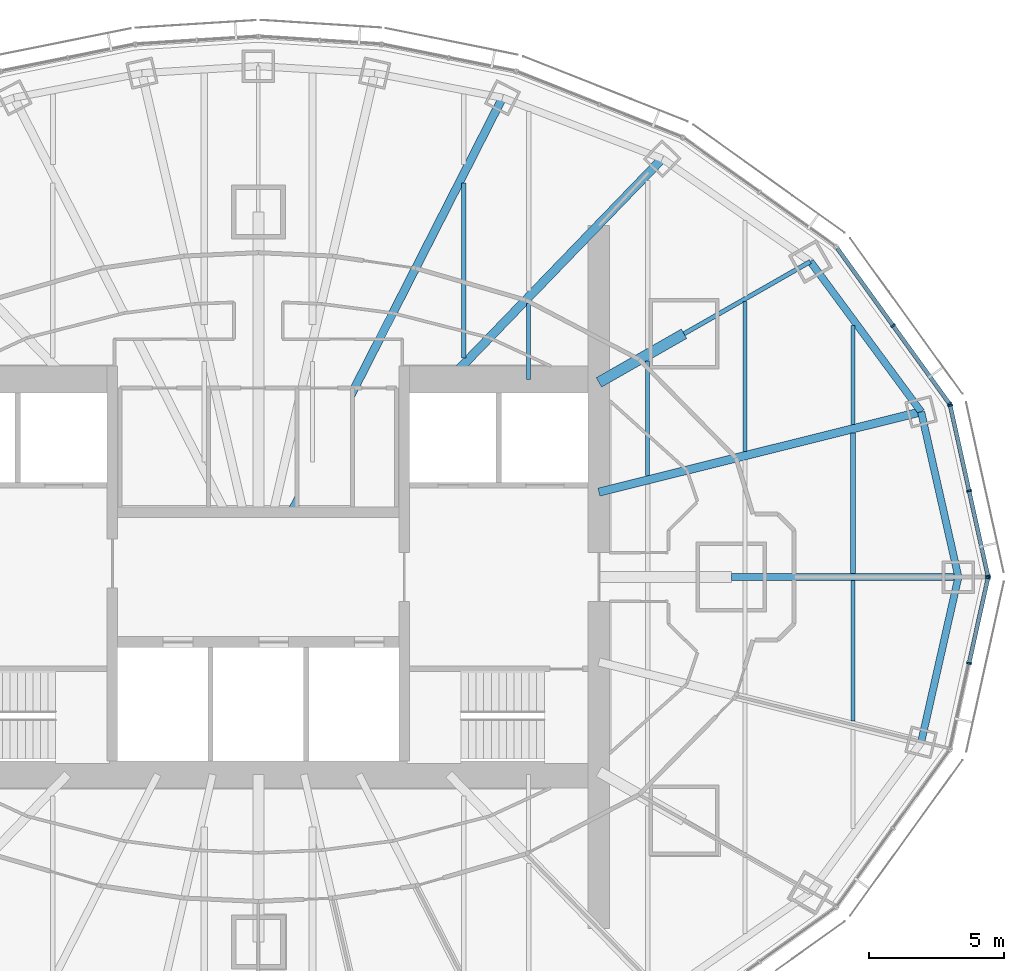
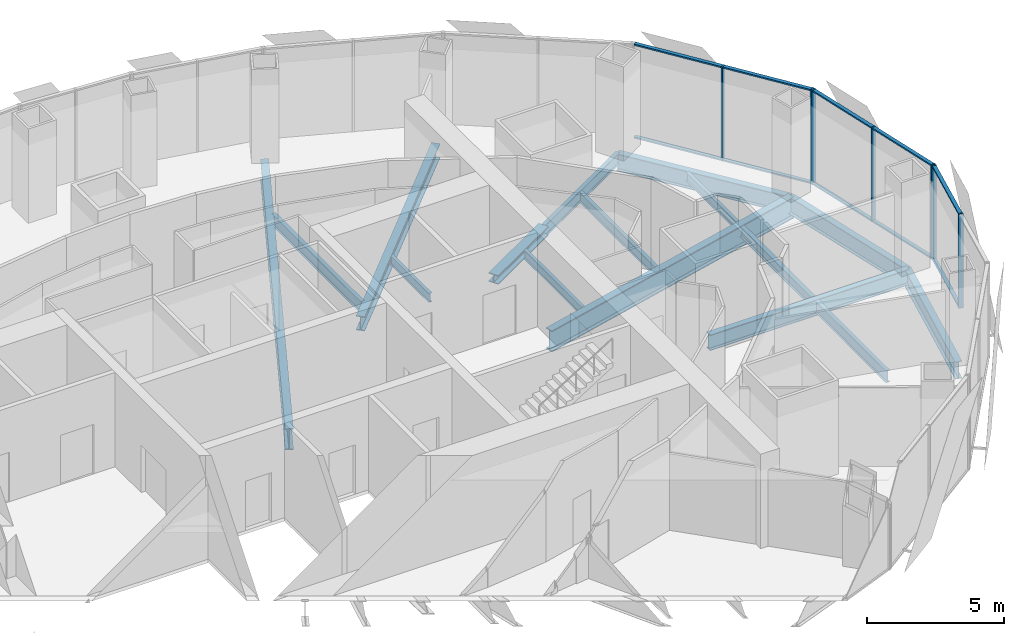
# One storey, part 7 of 17: 17 members, 16 beams, 3 elements without a shape of their own.
"""IFC4 building model written with IfcOpenShell, lengths in metres."""

from ifc_helpers import new_model, si_unit, direction, frame, origin, origin_2d, place, context, subcontext, project, spatial, rectangle, i_section, extrude, material, material_profile, profile_set, type_object, element, aggregate, save


model = new_model("IFC4")

# Units and contexts
model_context = context("Model", 3, precision=1e-05, world=origin(), true_north=direction((0.0, 1.0)))
body_context = subcontext(model_context, "Body", "Model", "MODEL_VIEW")
ifc_project = project(units=[si_unit("LENGTHUNIT", "METRE"), si_unit("AREAUNIT", "SQUARE_METRE"), si_unit("VOLUMEUNIT", "CUBIC_METRE"), si_unit("PLANEANGLEUNIT", "RADIAN"), si_unit("MASSUNIT", "GRAM", prefix="KILO")], contexts=[model_context])

# Site, building, storey
site_placement = place(None, origin())
site = spatial("IfcSite", under=ifc_project, at=site_placement, CompositionType="ELEMENT")
building_placement = place(site_placement, origin())
building = spatial("IfcBuilding", under=site, at=building_placement, Name="Lantaw Convention Tower", CompositionType="ELEMENT")
storey_placement = place(building_placement, frame((0.0, 0.0, 220.0)))
storey = spatial("IfcBuildingStorey", under=building, at=storey_placement, Name="L51", CompositionType="ELEMENT", Elevation=220.0)

# Beams
ifc_material_1 = material(Name="Steel ASTM A992", Category="steel")
ifc_material_profile_1 = material_profile(ifc_material_1, i_section(OverallWidth=0.2666015625, OverallDepth=0.76953125, WebThickness=0.015625, FlangeThickness=0.025390625, FilletRadius=0.0126953125, at=origin_2d()), Name="W30X132")
ifc_profile_set_1 = profile_set([ifc_material_profile_1], Name="Steel ASTM A992")
beam_type_1 = type_object("IfcBeamType", Name="Beam E W30X132", PredefinedType="SPANDREL", material=ifc_profile_set_1)
beam_1_placement = place(storey_placement, frame((25.89990234375, 0.0, -0.534912109375), z_axis=(-0.219857926596, 0.97553190215, 0.0), x_axis=(-0.97553190215, -0.219857926596, 0.0)))
element("IfcBeam", 1, at=beam_1_placement, inside=storey, type_object=beam_type_1, Name="Edge beam 1", PredefinedType="SPANDREL", context=body_context, shape_type="SweptSolid", body=[
    extrude(i_section(OverallWidth=0.2666015625, OverallDepth=0.76953125, WebThickness=0.015625, FlangeThickness=0.025390625, FilletRadius=0.0126953125, at=origin_2d()), origin(), (0.0, 0.0, 1.0), 6.267333984375),
])
beam_2_placement = place(storey_placement, frame((24.52197265625, 6.114013671875, -0.534912109375), z_axis=(-0.593639188853, 0.804731329984, 0.0), x_axis=(-0.804731329984, -0.593639188853, 0.0)))
element("IfcBeam", 2, at=beam_2_placement, inside=storey, type_object=beam_type_1, Name="Edge beam 2", PredefinedType="SPANDREL", context=body_context, shape_type="SweptSolid", body=[
    extrude(i_section(OverallWidth=0.2666015625, OverallDepth=0.76953125, WebThickness=0.015625, FlangeThickness=0.025390625, FilletRadius=0.0126953125, at=origin_2d()), origin(), (0.0, 0.0, 1.0), 6.904541015625),
])
beam_3_placement = place(storey_placement, frame((24.52197265625, -6.114013671875, -0.534912109375), z_axis=(0.219857926596, 0.97553190215, 0.0), x_axis=(-0.97553190215, 0.219857926596, 0.0)))
element("IfcBeam", 3, at=beam_3_placement, inside=storey, type_object=beam_type_1, Name="Edge beam 24", PredefinedType="SPANDREL", context=body_context, shape_type="SweptSolid", body=[
    extrude(i_section(OverallWidth=0.2666015625, OverallDepth=0.76953125, WebThickness=0.015625, FlangeThickness=0.025390625, FilletRadius=0.0126953125, at=origin_2d()), origin(), (0.0, 0.0, 1.0), 6.267333984375),
])
ifc_material_profile_2 = material_profile(ifc_material_1, i_section(OverallWidth=0.1650390625, OverallDepth=0.52587890625, WebThickness=0.0087890625, FlangeThickness=0.011474609375, FilletRadius=0.0126953125, at=origin_2d()), Name="W21X44")
ifc_profile_set_2 = profile_set([ifc_material_profile_2], Name="Steel ASTM A992")
beam_type_2 = type_object("IfcBeamType", Name="Beam G W21X44", PredefinedType="BEAM", material=ifc_profile_set_2)
beam_4_placement = place(storey_placement, frame((15.75, 9.0, -0.412841796875), z_axis=(0.868237559289, 0.496148708192, 0.0), x_axis=(-0.496148708192, 0.868237559289, 0.0)))
element("IfcBeam", 4, at=beam_4_placement, inside=storey, type_object=beam_type_2, Name="Floor girder on ray 3", PredefinedType="BEAM", context=body_context, shape_type="SweptSolid", body=[
    extrude(i_section(OverallWidth=0.1650390625, OverallDepth=0.52587890625, WebThickness=0.0087890625, FlangeThickness=0.011474609375, FilletRadius=0.0126953125, at=origin_2d()), origin(), (0.0, 0.0, 1.0), 5.38232421875),
])
ifc_material_profile_3 = material_profile(ifc_material_1, i_section(OverallWidth=0.32763671875, OverallDepth=0.64013671875, WebThickness=0.01904296875, FlangeThickness=0.033935546875, FilletRadius=0.0126953125, at=origin_2d()), Name="W24X176")
ifc_profile_set_3 = profile_set([ifc_material_profile_3], Name="Steel ASTM A992")
beam_type_3 = type_object("IfcBeamType", Name="Beam G W24X176", PredefinedType="BEAM", material=ifc_profile_set_3)
beam_5_placement = place(storey_placement, frame((7.049560546875, 7.300048828125, -0.469970703125), z_axis=(0.694657766726, 0.719340383356, 0.0), x_axis=(-0.719340383356, 0.694657766726, 0.0)))
element("IfcBeam", 5, at=beam_5_placement, inside=storey, type_object=beam_type_3, Name="Floor girder on ray 4", PredefinedType="BEAM", context=body_context, shape_type="SweptSolid", body=[
    extrude(i_section(OverallWidth=0.32763671875, OverallDepth=0.64013671875, WebThickness=0.01904296875, FlangeThickness=0.033935546875, FilletRadius=0.0126953125, at=origin_2d()), origin(), (0.0, 0.0, 1.0), 11.364990234375),
])
ifc_material_profile_4 = material_profile(ifc_material_1, i_section(OverallWidth=0.25390625, OverallDepth=0.700927734375, WebThickness=0.015380859375, FlangeThickness=0.02783203125, FilletRadius=0.01513671875, at=origin_2d()), Name="W27X129")
ifc_profile_set_4 = profile_set([ifc_material_profile_4], Name="Steel ASTM A992")
beam_type_4 = type_object("IfcBeamType", Name="Beam G W27X129", PredefinedType="BEAM", material=ifc_profile_set_4)
beam_6_placement = place(storey_placement, frame((17.5, 0.0, -0.50048828125), z_axis=(1.0, 0.0, 0.0), x_axis=(0.0, 1.0, 0.0)))
element("IfcBeam", 6, at=beam_6_placement, inside=storey, type_object=beam_type_4, Name="Floor girder on ray 1", PredefinedType="BEAM", context=body_context, shape_type="SweptSolid", body=[
    extrude(i_section(OverallWidth=0.25390625, OverallDepth=0.700927734375, WebThickness=0.015380859375, FlangeThickness=0.02783203125, FilletRadius=0.01513671875, at=origin_2d()), origin(), (0.0, 0.0, 1.0), 8.39990234375),
])
ifc_material_profile_5 = material_profile(ifc_material_1, i_section(OverallWidth=0.307373046875, OverallDepth=0.9423828125, WebThickness=0.022216796875, FlangeThickness=0.039794921875, FilletRadius=0.0126953125, at=origin_2d()), Name="W36X232")
ifc_profile_set_5 = profile_set([ifc_material_profile_5], Name="Steel ASTM A992")
beam_type_5 = type_object("IfcBeamType", Name="Beam G W36X232", PredefinedType="BEAM", material=ifc_profile_set_5)
beam_7_placement = place(storey_placement, frame((12.60009765625, 3.1416015625, -0.62109375), z_axis=(0.970296589314, 0.241918434119, 0.0), x_axis=(-0.241918434119, 0.970296589314, 0.0)))
element("IfcBeam", 7, at=beam_7_placement, inside=storey, type_object=beam_type_5, Name="Floor girder on ray 2", PredefinedType="BEAM", context=body_context, shape_type="SweptSolid", body=[
    extrude(i_section(OverallWidth=0.307373046875, OverallDepth=0.9423828125, WebThickness=0.022216796875, FlangeThickness=0.039794921875, FilletRadius=0.0126953125, at=origin_2d()), origin(), (0.0, 0.0, 1.0), 12.286865234375),
])
beam_8_placement = place(storey_placement, frame((1.222900390625, 2.39990234375, -0.62109375), z_axis=(0.453988481463, 0.891007552549, 0.0), x_axis=(-0.891007552549, 0.453988481463, 0.0)))
element("IfcBeam", 8, at=beam_8_placement, inside=storey, type_object=beam_type_5, Name="Floor girder on ray 5", PredefinedType="BEAM", context=body_context, shape_type="SweptSolid", body=[
    extrude(i_section(OverallWidth=0.307373046875, OverallDepth=0.9423828125, WebThickness=0.022216796875, FlangeThickness=0.039794921875, FilletRadius=0.0126953125, at=origin_2d()), origin(), (0.0, 0.0, 1.0), 17.20703125),
])
ifc_material_profile_6 = material_profile(ifc_material_1, i_section(OverallWidth=0.40380859375, OverallDepth=0.406494140625, WebThickness=0.027099609375, FlangeThickness=0.043701171875, FilletRadius=0.01513671875, at=origin_2d()), Name="W14X233")
ifc_profile_set_6 = profile_set([ifc_material_profile_6], Name="Steel ASTM A992")
beam_type_6 = type_object("IfcBeamType", Name="Beam GM W14X233", PredefinedType="BEAM", material=ifc_profile_set_6)
beam_9_placement = place(storey_placement, frame((12.60009765625, 7.199951171875, -0.353271484375), z_axis=(0.868230718294, 0.496160679428, 0.0), x_axis=(-0.496160679428, 0.868230718294, 0.0)))
element("IfcBeam", 9, at=beam_9_placement, inside=storey, type_object=beam_type_6, Name="Core link beam on ray 3", PredefinedType="BEAM", context=body_context, shape_type="SweptSolid", body=[
    extrude(i_section(OverallWidth=0.40380859375, OverallDepth=0.406494140625, WebThickness=0.027099609375, FlangeThickness=0.043701171875, FilletRadius=0.01513671875, at=origin_2d()), origin(), (0.0, 0.0, 1.0), 3.6279296875),
])
ifc_material_profile_7 = material_profile(ifc_material_1, i_section(OverallWidth=0.140380859375, OverallDepth=0.40380859375, WebThickness=0.007080078125, FlangeThickness=0.01123046875, FilletRadius=0.01025390625, at=origin_2d()), Name="W16X31")
ifc_profile_set_7 = profile_set([ifc_material_profile_7], Name="Steel ASTM A992")
beam_type_7 = type_object("IfcBeamType", Name="Beam J W16X31", PredefinedType="JOIST", material=ifc_profile_set_7)
beam_10_placement = place(storey_placement, frame((10.0, 7.300048828125, -0.35205078125), z_axis=(0.0, 1.0, 0.0), x_axis=(-1.0, 0.0, 0.0)))
element("IfcBeam", 10, at=beam_10_placement, inside=storey, type_object=beam_type_7, Name="Floor joist", PredefinedType="JOIST", context=body_context, shape_type="SweptSolid", body=[
    extrude(i_section(OverallWidth=0.140380859375, OverallDepth=0.40380859375, WebThickness=0.007080078125, FlangeThickness=0.01123046875, FilletRadius=0.01025390625, at=origin_2d()), origin(), (0.0, 0.0, 1.0), 2.8193359375),
])
beam_11_placement = place(storey_placement, frame((14.39990234375, 3.748779296875, -0.35205078125), z_axis=(0.0, 1.0, 0.0), x_axis=(-1.0, 0.0, 0.0)))
element("IfcBeam", 11, at=beam_11_placement, inside=storey, type_object=beam_type_7, Name="Floor joist", PredefinedType="JOIST", context=body_context, shape_type="SweptSolid", body=[
    extrude(i_section(OverallWidth=0.140380859375, OverallDepth=0.40380859375, WebThickness=0.007080078125, FlangeThickness=0.01123046875, FilletRadius=0.01025390625, at=origin_2d()), origin(), (0.0, 0.0, 1.0), 4.247314453125),
])
beam_12_placement = place(storey_placement, frame((22.0, 5.6435546875, -0.35205078125), z_axis=(0.0, 1.0, 0.0), x_axis=(-1.0, 0.0, 0.0)))
element("IfcBeam", 12, at=beam_12_placement, inside=storey, type_object=beam_type_7, Name="Floor joist", PredefinedType="JOIST", context=body_context, shape_type="SweptSolid", body=[
    extrude(i_section(OverallWidth=0.140380859375, OverallDepth=0.40380859375, WebThickness=0.007080078125, FlangeThickness=0.01123046875, FilletRadius=0.01025390625, at=origin_2d()), origin(), (0.0, 0.0, 1.0), 3.66455078125),
])
ifc_material_profile_8 = material_profile(ifc_material_1, i_section(OverallWidth=0.15234375, OverallDepth=0.449462890625, WebThickness=0.007568359375, FlangeThickness=0.0107421875, FilletRadius=0.01025390625, at=origin_2d()), Name="W18X35")
ifc_profile_set_8 = profile_set([ifc_material_profile_8], Name="Steel ASTM A992")
beam_type_8 = type_object("IfcBeamType", Name="Beam J W18X35", PredefinedType="JOIST", material=ifc_profile_set_8)
beam_13_placement = place(storey_placement, frame((18.0, 4.646240234375, -0.374755859375), z_axis=(0.0, 1.0, 0.0), x_axis=(-1.0, 0.0, 0.0)))
element("IfcBeam", 13, at=beam_13_placement, inside=storey, type_object=beam_type_8, Name="Floor joist", PredefinedType="JOIST", context=body_context, shape_type="SweptSolid", body=[
    extrude(i_section(OverallWidth=0.15234375, OverallDepth=0.449462890625, WebThickness=0.007568359375, FlangeThickness=0.0107421875, FilletRadius=0.01025390625, at=origin_2d()), origin(), (0.0, 0.0, 1.0), 5.54443359375),
])
ifc_material_profile_9 = material_profile(ifc_material_1, i_section(OverallWidth=0.1904296875, OverallDepth=0.457275390625, WebThickness=0.009033203125, FlangeThickness=0.014404296875, FilletRadius=0.01025390625, at=origin_2d()), Name="W18X50")
ifc_profile_set_9 = profile_set([ifc_material_profile_9], Name="Steel ASTM A992")
beam_type_9 = type_object("IfcBeamType", Name="Beam J W18X50", PredefinedType="JOIST", material=ifc_profile_set_9)
beam_14_placement = place(storey_placement, frame((22.0, 0.126953125, -0.378662109375), z_axis=(0.0, 1.0, 0.0), x_axis=(-1.0, 0.0, 0.0)))
element("IfcBeam", 14, at=beam_14_placement, inside=storey, type_object=beam_type_9, Name="Floor joist", PredefinedType="JOIST", context=body_context, shape_type="SweptSolid", body=[
    extrude(i_section(OverallWidth=0.1904296875, OverallDepth=0.457275390625, WebThickness=0.009033203125, FlangeThickness=0.014404296875, FilletRadius=0.01025390625, at=origin_2d()), origin(), (0.0, 0.0, 1.0), 5.199951171875),
])
ifc_material_profile_10 = material_profile(ifc_material_1, i_section(OverallWidth=0.1650390625, OverallDepth=0.52587890625, WebThickness=0.0087890625, FlangeThickness=0.011474609375, FilletRadius=0.0126953125, at=origin_2d()), Name="W21X44")
ifc_profile_set_10 = profile_set([ifc_material_profile_10], Name="Steel ASTM A992")
beam_type_10 = type_object("IfcBeamType", Name="Beam J W21X44", PredefinedType="JOIST", material=ifc_profile_set_10)
beam_15_placement = place(storey_placement, frame((7.60009765625, 8.10595703125, -0.412841796875), z_axis=(0.0, 1.0, 0.0), x_axis=(-1.0, 0.0, 0.0)))
element("IfcBeam", 15, at=beam_15_placement, inside=storey, type_object=beam_type_10, Name="Floor joist", PredefinedType="JOIST", context=body_context, shape_type="SweptSolid", body=[
    extrude(i_section(OverallWidth=0.1650390625, OverallDepth=0.52587890625, WebThickness=0.0087890625, FlangeThickness=0.011474609375, FilletRadius=0.0126953125, at=origin_2d()), origin(), (0.0, 0.0, 1.0), 6.471435546875),
])
beam_16_placement = place(storey_placement, frame((22.0, -5.326904296875, -0.412841796875), z_axis=(0.0, 1.0, 0.0), x_axis=(-1.0, 0.0, 0.0)))
element("IfcBeam", 16, at=beam_16_placement, inside=storey, type_object=beam_type_10, Name="Floor joist", PredefinedType="JOIST", context=body_context, shape_type="SweptSolid", body=[
    extrude(i_section(OverallWidth=0.1650390625, OverallDepth=0.52587890625, WebThickness=0.0087890625, FlangeThickness=0.011474609375, FilletRadius=0.0126953125, at=origin_2d()), origin(), (0.0, 0.0, 1.0), 5.199951171875),
])

# Curtain wall, members
ifc_material_2 = material(Name="Aluminium framed curtain wall", Category="aluminium")
curtain_wall_type = type_object("IfcCurtainWallType", Name="Office curtain wall high rise, pale aluminium", PredefinedType="USERDEFINED", material=ifc_material_2)
curtain_wall_1_placement = place(storey_placement, origin())
curtain_wall_1 = element("IfcCurtainWall", 17, at=curtain_wall_1_placement, inside=storey, type_object=curtain_wall_type, Name="Office curtain wall high rise, pale aluminium L51", ObjectType="UNITISED CURTAIN WALL", PredefinedType="USERDEFINED")
ifc_material_3 = material(Name="Aluminium 6063-T6", Category="aluminium")
ifc_material_profile_11 = material_profile(ifc_material_3, rectangle(XDim=0.179931640625, YDim=0.06494140625, at=origin_2d()), Name="CW-O2 mullion 65x180")
ifc_profile_set_11 = profile_set([ifc_material_profile_11], Name="Aluminium 6063-T6")
member_type_1 = type_object("IfcMemberType", Name="CW-O2 mullion 65x180", PredefinedType="MULLION", material=ifc_profile_set_11)
member_1_placement = place(storey_placement, frame((26.992919921875, 0.03173828125, -0.14990234375), z_axis=(0.0, 0.0, 1.0), x_axis=(-0.976417396437, -0.215891333626, 0.0)))
member_1 = element("IfcMember", 18, at=member_1_placement, type_object=member_type_1, Name="CW-O2 mullion 1", PredefinedType="MULLION", context=body_context, shape_type="SweptSolid", body=[
    extrude(rectangle(XDim=0.179931640625, YDim=0.06494140625, at=origin_2d()), origin(), (0.0, 0.0, 1.0), 4.199951171875),
])
member_2_placement = place(storey_placement, frame((26.294677734375, 3.190185546875, -0.14990234375), z_axis=(0.0, 0.0, 1.0), x_axis=(-0.976417396437, -0.215891333626, 0.0)))
member_2 = element("IfcMember", 19, at=member_2_placement, type_object=member_type_1, Name="CW-O2 mullion 2", PredefinedType="MULLION", context=body_context, shape_type="SweptSolid", body=[
    extrude(rectangle(XDim=0.179931640625, YDim=0.06494140625, at=origin_2d()), origin(), (0.0, 0.0, 1.0), 4.199951171875),
])
member_3_placement = place(storey_placement, frame((25.596435546875, 6.348388671875, -0.14990234375), z_axis=(0.0, 0.0, 1.0), x_axis=(-0.976417396437, -0.215891333626, 0.0)))
member_3 = element("IfcMember", 20, at=member_3_placement, type_object=member_type_1, Name="CW-O2 mullion 3", PredefinedType="MULLION", context=body_context, shape_type="SweptSolid", body=[
    extrude(rectangle(XDim=0.179931640625, YDim=0.06494140625, at=origin_2d()), origin(), (0.0, 0.0, 1.0), 4.199951171875),
])

curtain_wall_2_placement = place(storey_placement, origin())
curtain_wall_2 = element("IfcCurtainWall", 21, at=curtain_wall_2_placement, inside=storey, type_object=curtain_wall_type, Name="Office curtain wall high rise, pale aluminium L51", ObjectType="UNITISED CURTAIN WALL", PredefinedType="USERDEFINED")
member_4_placement = place(storey_placement, frame((25.5703125, 6.406494140625, -0.14990234375), z_axis=(0.0, 0.0, 1.0), x_axis=(-0.810919559405, -0.585157643865, 0.0)))
member_4 = element("IfcMember", 22, at=member_4_placement, type_object=member_type_1, Name="CW-O2 mullion 1", PredefinedType="MULLION", context=body_context, shape_type="SweptSolid", body=[
    extrude(rectangle(XDim=0.179931640625, YDim=0.06494140625, at=origin_2d()), origin(), (0.0, 0.0, 1.0), 4.199951171875),
])
member_5_placement = place(storey_placement, frame((23.483642578125, 9.298095703125, -0.14990234375), z_axis=(0.0, 0.0, 1.0), x_axis=(-0.810919559405, -0.585157643865, 0.0)))
member_5 = element("IfcMember", 23, at=member_5_placement, type_object=member_type_1, Name="CW-O2 mullion 2", PredefinedType="MULLION", context=body_context, shape_type="SweptSolid", body=[
    extrude(rectangle(XDim=0.179931640625, YDim=0.06494140625, at=origin_2d()), origin(), (0.0, 0.0, 1.0), 4.199951171875),
])

curtain_wall_3_placement = place(storey_placement, origin())
curtain_wall_3 = element("IfcCurtainWall", 24, at=curtain_wall_3_placement, inside=storey, type_object=curtain_wall_type, Name="Office curtain wall high rise, pale aluminium L51", ObjectType="UNITISED CURTAIN WALL", PredefinedType="USERDEFINED")
member_6_placement = place(storey_placement, frame((26.294677734375, -3.190185546875, -0.14990234375), z_axis=(0.0, 0.0, 1.0), x_axis=(-0.976417396437, 0.215891333626, 0.0)))
member_6 = element("IfcMember", 25, at=member_6_placement, type_object=member_type_1, Name="CW-O2 mullion 2", PredefinedType="MULLION", context=body_context, shape_type="SweptSolid", body=[
    extrude(rectangle(XDim=0.179931640625, YDim=0.06494140625, at=origin_2d()), origin(), (0.0, 0.0, 1.0), 4.199951171875),
])
member_7_placement = place(storey_placement, frame((26.992919921875, -0.03173828125, -0.14990234375), z_axis=(0.0, 0.0, 1.0), x_axis=(-0.976417396437, 0.215891333626, 0.0)))
member_7 = element("IfcMember", 26, at=member_7_placement, type_object=member_type_1, Name="CW-O2 mullion 3", PredefinedType="MULLION", context=body_context, shape_type="SweptSolid", body=[
    extrude(rectangle(XDim=0.179931640625, YDim=0.06494140625, at=origin_2d()), origin(), (0.0, 0.0, 1.0), 4.199951171875),
])

# Member
ifc_material_profile_12 = material_profile(ifc_material_3, rectangle(XDim=0.14990234375, YDim=0.06494140625, at=origin_2d()), Name="CW-O2 transom 65x150")
ifc_profile_set_12 = profile_set([ifc_material_profile_12], Name="Aluminium 6063-T6")
member_type_2 = type_object("IfcMemberType", Name="CW-O2 transom 65x150", PredefinedType="USERDEFINED", material=ifc_profile_set_12)
member_8_placement = place(storey_placement, frame((26.986083984375, 0.0634765625, -0.117431640625), z_axis=(-0.215894607042, 0.976416672661, 0.0), x_axis=(-0.976416672661, -0.215894607042, 0.0)))
member_8 = element("IfcMember", 27, at=member_8_placement, type_object=member_type_2, Name="CW-O2 transom 1.1", ObjectType="TRANSOM", PredefinedType="USERDEFINED", context=body_context, shape_type="SweptSolid", body=[
    extrude(rectangle(XDim=0.14990234375, YDim=0.06494140625, at=origin_2d()), origin(), (0.0, 0.0, 1.0), 3.169677734375),
])

member_9_placement = place(storey_placement, frame((26.986083984375, 0.0634765625, 4.017578125), z_axis=(-0.215894607042, 0.976416672661, 0.0), x_axis=(-0.976416672661, -0.215894607042, 0.0)))
member_9 = element("IfcMember", 28, at=member_9_placement, type_object=member_type_2, Name="CW-O2 transom 1.2", ObjectType="TRANSOM", PredefinedType="USERDEFINED", context=body_context, shape_type="SweptSolid", body=[
    extrude(rectangle(XDim=0.14990234375, YDim=0.06494140625, at=origin_2d()), origin(), (0.0, 0.0, 1.0), 3.169677734375),
])

member_10_placement = place(storey_placement, frame((26.28759765625, 3.2216796875, -0.117431640625), z_axis=(-0.215894607042, 0.976416672661, 0.0), x_axis=(-0.976416672661, -0.215894607042, 0.0)))
member_10 = element("IfcMember", 29, at=member_10_placement, type_object=member_type_2, Name="CW-O2 transom 2.1", ObjectType="TRANSOM", PredefinedType="USERDEFINED", context=body_context, shape_type="SweptSolid", body=[
    extrude(rectangle(XDim=0.14990234375, YDim=0.06494140625, at=origin_2d()), origin(), (0.0, 0.0, 1.0), 3.169677734375),
])

member_11_placement = place(storey_placement, frame((26.28759765625, 3.2216796875, 4.017578125), z_axis=(-0.215894607042, 0.976416672661, 0.0), x_axis=(-0.976416672661, -0.215894607042, 0.0)))
member_11 = element("IfcMember", 30, at=member_11_placement, type_object=member_type_2, Name="CW-O2 transom 2.2", ObjectType="TRANSOM", PredefinedType="USERDEFINED", context=body_context, shape_type="SweptSolid", body=[
    extrude(rectangle(XDim=0.14990234375, YDim=0.06494140625, at=origin_2d()), origin(), (0.0, 0.0, 1.0), 3.169677734375),
])

aggregate(curtain_wall_1, [member_1, member_2, member_3, member_8, member_9, member_10, member_11])

member_12_placement = place(storey_placement, frame((25.55126953125, 6.432861328125, -0.117431640625), z_axis=(-0.585169685931, 0.810910869743, 0.0), x_axis=(-0.810910869743, -0.585169685931, 0.0)))
member_12 = element("IfcMember", 31, at=member_12_placement, type_object=member_type_2, Name="CW-O2 transom 1.1", ObjectType="TRANSOM", PredefinedType="USERDEFINED", context=body_context, shape_type="SweptSolid", body=[
    extrude(rectangle(XDim=0.14990234375, YDim=0.06494140625, at=origin_2d()), origin(), (0.0, 0.0, 1.0), 3.500732421875),
])

member_13_placement = place(storey_placement, frame((25.55126953125, 6.432861328125, 4.017578125), z_axis=(-0.585169685931, 0.810910869743, 0.0), x_axis=(-0.810910869743, -0.585169685931, 0.0)))
member_13 = element("IfcMember", 32, at=member_13_placement, type_object=member_type_2, Name="CW-O2 transom 1.2", ObjectType="TRANSOM", PredefinedType="USERDEFINED", context=body_context, shape_type="SweptSolid", body=[
    extrude(rectangle(XDim=0.14990234375, YDim=0.06494140625, at=origin_2d()), origin(), (0.0, 0.0, 1.0), 3.500732421875),
])

member_14_placement = place(storey_placement, frame((23.464599609375, 9.324462890625, -0.117431640625), z_axis=(-0.585123825205, 0.810943961798, 0.0), x_axis=(-0.810943961798, -0.585123825205, 0.0)))
member_14 = element("IfcMember", 33, at=member_14_placement, type_object=member_type_2, Name="CW-O2 transom 2.1", ObjectType="TRANSOM", PredefinedType="USERDEFINED", context=body_context, shape_type="SweptSolid", body=[
    extrude(rectangle(XDim=0.14990234375, YDim=0.06494140625, at=origin_2d()), origin(), (0.0, 0.0, 1.0), 3.500732421875),
])

member_15_placement = place(storey_placement, frame((23.464599609375, 9.324462890625, 4.017578125), z_axis=(-0.585123825205, 0.810943961798, 0.0), x_axis=(-0.810943961798, -0.585123825205, 0.0)))
member_15 = element("IfcMember", 34, at=member_15_placement, type_object=member_type_2, Name="CW-O2 transom 2.2", ObjectType="TRANSOM", PredefinedType="USERDEFINED", context=body_context, shape_type="SweptSolid", body=[
    extrude(rectangle(XDim=0.14990234375, YDim=0.06494140625, at=origin_2d()), origin(), (0.0, 0.0, 1.0), 3.500732421875),
])

aggregate(curtain_wall_2, [member_4, member_5, member_12, member_13, member_14, member_15])

member_16_placement = place(storey_placement, frame((26.3017578125, -3.158447265625, -0.117431640625), z_axis=(0.215894607042, 0.976416672661, 0.0), x_axis=(-0.976416672661, 0.215894607042, 0.0)))
member_16 = element("IfcMember", 35, at=member_16_placement, type_object=member_type_2, Name="CW-O2 transom 2.1", ObjectType="TRANSOM", PredefinedType="USERDEFINED", context=body_context, shape_type="SweptSolid", body=[
    extrude(rectangle(XDim=0.14990234375, YDim=0.06494140625, at=origin_2d()), origin(), (0.0, 0.0, 1.0), 3.169677734375),
])

member_17_placement = place(storey_placement, frame((26.3017578125, -3.158447265625, 4.017578125), z_axis=(0.215894607042, 0.976416672661, 0.0), x_axis=(-0.976416672661, 0.215894607042, 0.0)))
member_17 = element("IfcMember", 36, at=member_17_placement, type_object=member_type_2, Name="CW-O2 transom 2.2", ObjectType="TRANSOM", PredefinedType="USERDEFINED", context=body_context, shape_type="SweptSolid", body=[
    extrude(rectangle(XDim=0.14990234375, YDim=0.06494140625, at=origin_2d()), origin(), (0.0, 0.0, 1.0), 3.169677734375),
])

aggregate(curtain_wall_3, [member_6, member_7, member_16, member_17])

save(model, "model.ifc")
